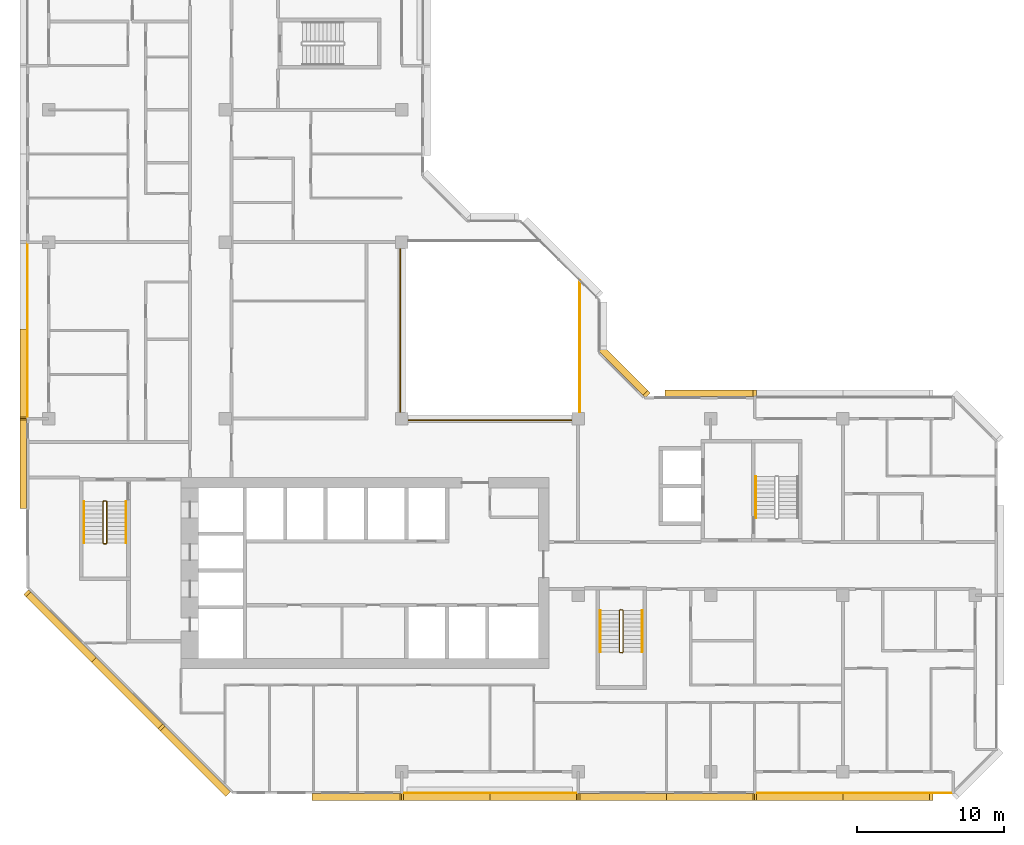
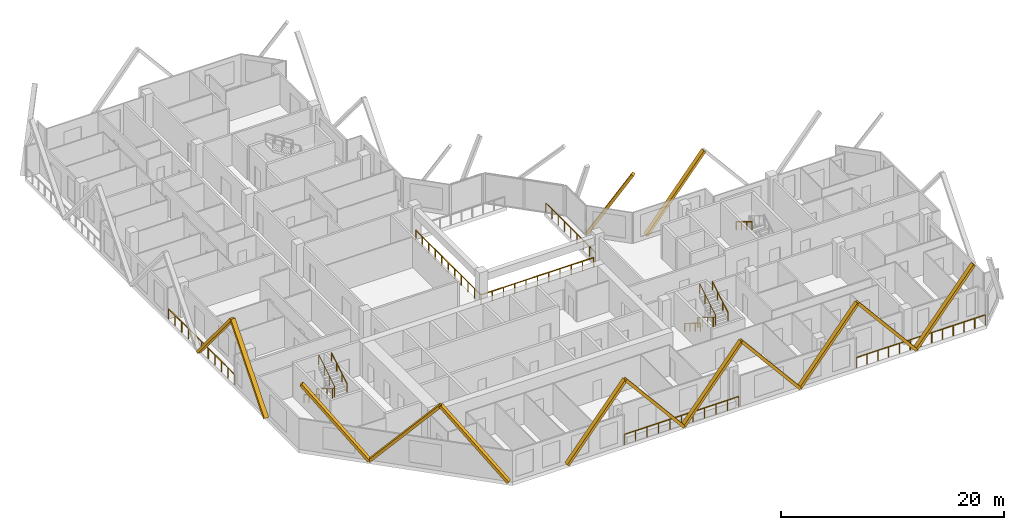
# One storey, part 15 of 16: 14 coverings, 12 railings.
"""IFC4 building model written with IfcOpenShell, lengths in metres."""

from ifc_helpers import new_model, si_unit, direction, frame, origin, origin_2d, place, context, subcontext, project, spatial, rectangle, extrude, material, material_profile, profile_set, type_object, element, save


model = new_model("IFC4")

# Units and contexts
model_context = context("Model", 3, precision=1e-05, world=origin(), true_north=direction((0.0, 1.0)))
body_context = subcontext(model_context, "Body", "Model", "MODEL_VIEW")
ifc_project = project(units=[si_unit("LENGTHUNIT", "METRE"), si_unit("AREAUNIT", "SQUARE_METRE"), si_unit("VOLUMEUNIT", "CUBIC_METRE"), si_unit("PLANEANGLEUNIT", "RADIAN"), si_unit("MASSUNIT", "GRAM", prefix="KILO")], contexts=[model_context])

# Site, building, storey
site_placement = place(None, origin())
site = spatial("IfcSite", under=ifc_project, at=site_placement, CompositionType="ELEMENT")
building_placement = place(site_placement, origin())
building = spatial("IfcBuilding", under=site, at=building_placement, Name="Chenar Terraces", CompositionType="ELEMENT")
storey_placement = place(building_placement, frame((0.0, 0.0, 219.14990234375)))
storey = spatial("IfcBuildingStorey", under=building, at=storey_placement, Name="L51", CompositionType="ELEMENT", Elevation=219.14990234375)

# Railings
ifc_material_1 = material(Name="Powder-coated steel", Category="steel")
railing_type_1 = type_object("IfcRailingType", Name="Guard 1100 steel rail with glass infill", PredefinedType="GUARDRAIL", material=ifc_material_1)
railing_1_placement = place(storey_placement, frame((23.89990234375, 35.574951171875, 0.0)))
element("IfcRailing", 1, at=railing_1_placement, inside=storey, type_object=railing_type_1, Name="Guard L51-1", PredefinedType="GUARDRAIL", context=body_context, shape_type="SweptSolid", body=[
    extrude(rectangle(XDim=0.06005859375, YDim=0.06005859375, at=origin_2d()), frame((0.0, 0.0, 1.070068359375), z_axis=(0.0, -1.0, 0.0), x_axis=(1.0, 0.0, 0.0)), (0.0, 0.0, 1.0), 11.675048828125),
    extrude(rectangle(XDim=0.06005859375, YDim=0.06005859375, at=origin_2d()), frame((0.0, -11.675048828125, 1.070068359375), z_axis=(1.0, 0.0, 0.0), x_axis=(0.0, 1.0, 0.0)), (0.0, 0.0, 1.0), 11.675048828125),
    extrude(rectangle(XDim=0.050048828125, YDim=0.050048828125, at=origin_2d()), origin(), (0.0, 0.0, 1.0), 1.0400390625),
    extrude(rectangle(XDim=0.050048828125, YDim=0.050048828125, at=origin_2d()), frame((0.0, -1.16748046875, 0.0)), (0.0, 0.0, 1.0), 1.0400390625),
    extrude(rectangle(XDim=0.050048828125, YDim=0.050048828125, at=origin_2d()), frame((0.0, -2.3349609375, 0.0)), (0.0, 0.0, 1.0), 1.0400390625),
    extrude(rectangle(XDim=0.050048828125, YDim=0.050048828125, at=origin_2d()), frame((0.0, -3.50244140625, 0.0)), (0.0, 0.0, 1.0), 1.0400390625),
    extrude(rectangle(XDim=0.050048828125, YDim=0.050048828125, at=origin_2d()), frame((0.0, -4.669921875, 0.0)), (0.0, 0.0, 1.0), 1.0400390625),
    extrude(rectangle(XDim=0.050048828125, YDim=0.050048828125, at=origin_2d()), frame((0.0, -5.83740234375, 0.0)), (0.0, 0.0, 1.0), 1.0400390625),
    extrude(rectangle(XDim=0.050048828125, YDim=0.050048828125, at=origin_2d()), frame((0.0, -7.005126953125, 0.0)), (0.0, 0.0, 1.0), 1.0400390625),
    extrude(rectangle(XDim=0.050048828125, YDim=0.050048828125, at=origin_2d()), frame((0.0, -8.172607421875, 0.0)), (0.0, 0.0, 1.0), 1.0400390625),
    extrude(rectangle(XDim=0.050048828125, YDim=0.050048828125, at=origin_2d()), frame((0.0, -9.340087890625, 0.0)), (0.0, 0.0, 1.0), 1.0400390625),
    extrude(rectangle(XDim=0.050048828125, YDim=0.050048828125, at=origin_2d()), frame((0.0, -10.507568359375, 0.0)), (0.0, 0.0, 1.0), 1.0400390625),
    extrude(rectangle(XDim=0.050048828125, YDim=0.050048828125, at=origin_2d()), frame((0.0, -11.675048828125, 0.0)), (0.0, 0.0, 1.0), 1.0400390625),
    extrude(rectangle(XDim=0.050048828125, YDim=0.050048828125, at=origin_2d()), frame((1.16748046875, -11.675048828125, 0.0)), (0.0, 0.0, 1.0), 1.0400390625),
    extrude(rectangle(XDim=0.050048828125, YDim=0.050048828125, at=origin_2d()), frame((2.3349609375, -11.675048828125, 0.0)), (0.0, 0.0, 1.0), 1.0400390625),
    extrude(rectangle(XDim=0.050048828125, YDim=0.050048828125, at=origin_2d()), frame((3.50244140625, -11.675048828125, 0.0)), (0.0, 0.0, 1.0), 1.0400390625),
    extrude(rectangle(XDim=0.050048828125, YDim=0.050048828125, at=origin_2d()), frame((4.669921875, -11.675048828125, 0.0)), (0.0, 0.0, 1.0), 1.0400390625),
    extrude(rectangle(XDim=0.050048828125, YDim=0.050048828125, at=origin_2d()), frame((5.83740234375, -11.675048828125, 0.0)), (0.0, 0.0, 1.0), 1.0400390625),
    extrude(rectangle(XDim=0.050048828125, YDim=0.050048828125, at=origin_2d()), frame((7.005126953125, -11.675048828125, 0.0)), (0.0, 0.0, 1.0), 1.0400390625),
    extrude(rectangle(XDim=0.050048828125, YDim=0.050048828125, at=origin_2d()), frame((8.172607421875, -11.675048828125, 0.0)), (0.0, 0.0, 1.0), 1.0400390625),
    extrude(rectangle(XDim=0.050048828125, YDim=0.050048828125, at=origin_2d()), frame((9.340087890625, -11.675048828125, 0.0)), (0.0, 0.0, 1.0), 1.0400390625),
    extrude(rectangle(XDim=0.050048828125, YDim=0.050048828125, at=origin_2d()), frame((10.507568359375, -11.675048828125, 0.0)), (0.0, 0.0, 1.0), 1.0400390625),
    extrude(rectangle(XDim=0.050048828125, YDim=0.050048828125, at=origin_2d()), frame((11.675048828125, -11.675048828125, 0.0)), (0.0, 0.0, 1.0), 1.0400390625),
])
railing_2_placement = place(storey_placement, frame((36.10009765625, 24.47509765625, 0.0)))
element("IfcRailing", 2, at=railing_2_placement, inside=storey, type_object=railing_type_1, Name="Guard L51-3", PredefinedType="GUARDRAIL", context=body_context, shape_type="SweptSolid", body=[
    extrude(rectangle(XDim=0.06005859375, YDim=0.06005859375, at=origin_2d()), frame((0.0, 0.0, 1.070068359375), z_axis=(0.0, 1.0, 0.0), x_axis=(-1.0, 0.0, 0.0)), (0.0, 0.0, 1.0), 8.9248046875),
    extrude(rectangle(XDim=0.050048828125, YDim=0.050048828125, at=origin_2d()), origin(), (0.0, 0.0, 1.0), 1.0400390625),
    extrude(rectangle(XDim=0.050048828125, YDim=0.050048828125, at=origin_2d()), frame((0.0, 1.11572265625, 0.0)), (0.0, 0.0, 1.0), 1.0400390625),
    extrude(rectangle(XDim=0.050048828125, YDim=0.050048828125, at=origin_2d()), frame((0.0, 2.231201171875, 0.0)), (0.0, 0.0, 1.0), 1.0400390625),
    extrude(rectangle(XDim=0.050048828125, YDim=0.050048828125, at=origin_2d()), frame((0.0, 3.3466796875, 0.0)), (0.0, 0.0, 1.0), 1.0400390625),
    extrude(rectangle(XDim=0.050048828125, YDim=0.050048828125, at=origin_2d()), frame((0.0, 4.46240234375, 0.0)), (0.0, 0.0, 1.0), 1.0400390625),
    extrude(rectangle(XDim=0.050048828125, YDim=0.050048828125, at=origin_2d()), frame((0.0, 5.578125, 0.0)), (0.0, 0.0, 1.0), 1.0400390625),
    extrude(rectangle(XDim=0.050048828125, YDim=0.050048828125, at=origin_2d()), frame((0.0, 6.693603515625, 0.0)), (0.0, 0.0, 1.0), 1.0400390625),
    extrude(rectangle(XDim=0.050048828125, YDim=0.050048828125, at=origin_2d()), frame((0.0, 7.80908203125, 0.0)), (0.0, 0.0, 1.0), 1.0400390625),
    extrude(rectangle(XDim=0.050048828125, YDim=0.050048828125, at=origin_2d()), frame((0.0, 8.9248046875, 0.0)), (0.0, 0.0, 1.0), 1.0400390625),
])
ifc_material_2 = material(Name="Stainless steel and glass", Category="steel")
railing_type_2 = type_object("IfcRailingType", Name="Loggia guard 1150", PredefinedType="GUARDRAIL", material=ifc_material_2)
railing_3_placement = place(storey_placement, frame((24.074951171875, -1.449951171875, 0.0)))
element("IfcRailing", 3, at=railing_3_placement, inside=storey, type_object=railing_type_2, Name="Loggia guard", PredefinedType="GUARDRAIL", context=body_context, shape_type="SweptSolid", body=[
    extrude(rectangle(XDim=0.048095703125, YDim=0.048095703125, at=origin_2d()), frame((0.0, 0.0, 1.1259765625), z_axis=(1.0, 0.0, 0.0), x_axis=(0.0, 1.0, 0.0)), (0.0, 0.0, 1.0), 11.85009765625),
    extrude(rectangle(XDim=0.0419921875, YDim=0.0419921875, at=origin_2d()), origin(), (0.0, 0.0, 1.0), 1.101806640625),
    extrude(rectangle(XDim=0.0419921875, YDim=0.0419921875, at=origin_2d()), frame((1.18505859375, 0.0, 0.0)), (0.0, 0.0, 1.0), 1.101806640625),
    extrude(rectangle(XDim=0.0419921875, YDim=0.0419921875, at=origin_2d()), frame((2.3701171875, 0.0, 0.0)), (0.0, 0.0, 1.0), 1.101806640625),
    extrude(rectangle(XDim=0.0419921875, YDim=0.0419921875, at=origin_2d()), frame((3.554931640625, 0.0, 0.0)), (0.0, 0.0, 1.0), 1.101806640625),
    extrude(rectangle(XDim=0.0419921875, YDim=0.0419921875, at=origin_2d()), frame((4.739990234375, 0.0, 0.0)), (0.0, 0.0, 1.0), 1.101806640625),
    extrude(rectangle(XDim=0.0419921875, YDim=0.0419921875, at=origin_2d()), frame((5.925048828125, 0.0, 0.0)), (0.0, 0.0, 1.0), 1.101806640625),
    extrude(rectangle(XDim=0.0419921875, YDim=0.0419921875, at=origin_2d()), frame((7.110107421875, 0.0, 0.0)), (0.0, 0.0, 1.0), 1.101806640625),
    extrude(rectangle(XDim=0.0419921875, YDim=0.0419921875, at=origin_2d()), frame((8.295166015625, 0.0, 0.0)), (0.0, 0.0, 1.0), 1.101806640625),
    extrude(rectangle(XDim=0.0419921875, YDim=0.0419921875, at=origin_2d()), frame((9.47998046875, 0.0, 0.0)), (0.0, 0.0, 1.0), 1.101806640625),
    extrude(rectangle(XDim=0.0419921875, YDim=0.0419921875, at=origin_2d()), frame((10.6650390625, 0.0, 0.0)), (0.0, 0.0, 1.0), 1.101806640625),
    extrude(rectangle(XDim=0.0419921875, YDim=0.0419921875, at=origin_2d()), frame((11.85009765625, 0.0, 0.0)), (0.0, 0.0, 1.0), 1.101806640625),
])
railing_4_placement = place(storey_placement, frame((48.074951171875, -1.449951171875, 0.0)))
element("IfcRailing", 4, at=railing_4_placement, inside=storey, type_object=railing_type_2, Name="Loggia guard", PredefinedType="GUARDRAIL", context=body_context, shape_type="SweptSolid", body=[
    extrude(rectangle(XDim=0.048095703125, YDim=0.048095703125, at=origin_2d()), frame((0.0, 0.0, 1.1259765625), z_axis=(1.0, 0.0, 0.0), x_axis=(0.0, 1.0, 0.0)), (0.0, 0.0, 1.0), 13.35009765625),
    extrude(rectangle(XDim=0.0419921875, YDim=0.0419921875, at=origin_2d()), origin(), (0.0, 0.0, 1.0), 1.101806640625),
    extrude(rectangle(XDim=0.0419921875, YDim=0.0419921875, at=origin_2d()), frame((1.112548828125, 0.0, 0.0)), (0.0, 0.0, 1.0), 1.101806640625),
    extrude(rectangle(XDim=0.0419921875, YDim=0.0419921875, at=origin_2d()), frame((2.22509765625, 0.0, 0.0)), (0.0, 0.0, 1.0), 1.101806640625),
    extrude(rectangle(XDim=0.0419921875, YDim=0.0419921875, at=origin_2d()), frame((3.33740234375, 0.0, 0.0)), (0.0, 0.0, 1.0), 1.101806640625),
    extrude(rectangle(XDim=0.0419921875, YDim=0.0419921875, at=origin_2d()), frame((4.449951171875, 0.0, 0.0)), (0.0, 0.0, 1.0), 1.101806640625),
    extrude(rectangle(XDim=0.0419921875, YDim=0.0419921875, at=origin_2d()), frame((5.5625, 0.0, 0.0)), (0.0, 0.0, 1.0), 1.101806640625),
    extrude(rectangle(XDim=0.0419921875, YDim=0.0419921875, at=origin_2d()), frame((6.675048828125, 0.0, 0.0)), (0.0, 0.0, 1.0), 1.101806640625),
    extrude(rectangle(XDim=0.0419921875, YDim=0.0419921875, at=origin_2d()), frame((7.78759765625, 0.0, 0.0)), (0.0, 0.0, 1.0), 1.101806640625),
    extrude(rectangle(XDim=0.0419921875, YDim=0.0419921875, at=origin_2d()), frame((8.900146484375, 0.0, 0.0)), (0.0, 0.0, 1.0), 1.101806640625),
    extrude(rectangle(XDim=0.0419921875, YDim=0.0419921875, at=origin_2d()), frame((10.0126953125, 0.0, 0.0)), (0.0, 0.0, 1.0), 1.101806640625),
    extrude(rectangle(XDim=0.0419921875, YDim=0.0419921875, at=origin_2d()), frame((11.125, 0.0, 0.0)), (0.0, 0.0, 1.0), 1.101806640625),
    extrude(rectangle(XDim=0.0419921875, YDim=0.0419921875, at=origin_2d()), frame((12.237548828125, 0.0, 0.0)), (0.0, 0.0, 1.0), 1.101806640625),
    extrude(rectangle(XDim=0.0419921875, YDim=0.0419921875, at=origin_2d()), frame((13.35009765625, 0.0, 0.0)), (0.0, 0.0, 1.0), 1.101806640625),
])
railing_5_placement = place(storey_placement, frame((-1.449951171875, 35.925048828125, 0.0)))
element("IfcRailing", 5, at=railing_5_placement, inside=storey, type_object=railing_type_2, Name="Loggia guard", PredefinedType="GUARDRAIL", context=body_context, shape_type="SweptSolid", body=[
    extrude(rectangle(XDim=0.048095703125, YDim=0.048095703125, at=origin_2d()), frame((0.0, 0.0, 1.1259765625), z_axis=(0.0, -1.0, 0.0), x_axis=(1.0, 0.0, 0.0)), (0.0, 0.0, 1.0), 11.85009765625),
    extrude(rectangle(XDim=0.0419921875, YDim=0.0419921875, at=origin_2d()), origin(), (0.0, 0.0, 1.0), 1.101806640625),
    extrude(rectangle(XDim=0.0419921875, YDim=0.0419921875, at=origin_2d()), frame((0.0, -1.18505859375, 0.0)), (0.0, 0.0, 1.0), 1.101806640625),
    extrude(rectangle(XDim=0.0419921875, YDim=0.0419921875, at=origin_2d()), frame((0.0, -2.3701171875, 0.0)), (0.0, 0.0, 1.0), 1.101806640625),
    extrude(rectangle(XDim=0.0419921875, YDim=0.0419921875, at=origin_2d()), frame((0.0, -3.554931640625, 0.0)), (0.0, 0.0, 1.0), 1.101806640625),
    extrude(rectangle(XDim=0.0419921875, YDim=0.0419921875, at=origin_2d()), frame((0.0, -4.739990234375, 0.0)), (0.0, 0.0, 1.0), 1.101806640625),
    extrude(rectangle(XDim=0.0419921875, YDim=0.0419921875, at=origin_2d()), frame((0.0, -5.925048828125, 0.0)), (0.0, 0.0, 1.0), 1.101806640625),
    extrude(rectangle(XDim=0.0419921875, YDim=0.0419921875, at=origin_2d()), frame((0.0, -7.110107421875, 0.0)), (0.0, 0.0, 1.0), 1.101806640625),
    extrude(rectangle(XDim=0.0419921875, YDim=0.0419921875, at=origin_2d()), frame((0.0, -8.295166015625, 0.0)), (0.0, 0.0, 1.0), 1.101806640625),
    extrude(rectangle(XDim=0.0419921875, YDim=0.0419921875, at=origin_2d()), frame((0.0, -9.47998046875, 0.0)), (0.0, 0.0, 1.0), 1.101806640625),
    extrude(rectangle(XDim=0.0419921875, YDim=0.0419921875, at=origin_2d()), frame((0.0, -10.6650390625, 0.0)), (0.0, 0.0, 1.0), 1.101806640625),
    extrude(rectangle(XDim=0.0419921875, YDim=0.0419921875, at=origin_2d()), frame((0.0, -11.85009765625, 0.0)), (0.0, 0.0, 1.0), 1.101806640625),
])
ifc_material_3 = material(Name="Powder-coated steel", Category="steel")
railing_type_3 = type_object("IfcRailingType", Name="Stair guard 1100", PredefinedType="GUARDRAIL", material=ifc_material_3)
railing_6_placement = place(storey_placement, frame((3.949951171875, 18.35009765625, 3.75)))
element("IfcRailing", 6, at=railing_6_placement, inside=storey, type_object=railing_type_3, Name="L51 ST1 stair guard 1", PredefinedType="GUARDRAIL", context=body_context, shape_type="SweptSolid", body=[
    extrude(rectangle(XDim=0.048095703125, YDim=0.048095703125, at=origin_2d()), frame((0.0, 0.0, 1.076171875), z_axis=(0.0, -0.854202870247, -0.519939858505), x_axis=(1.0, 0.0, 0.0)), (0.0, 0.0, 1.0), 3.278076171875),
    extrude(rectangle(XDim=0.048095703125, YDim=0.048095703125, at=origin_2d()), frame((0.0, -2.800048828125, -0.62841796875), z_axis=(-0.270899902878, -0.270899902878, -0.923702595667), x_axis=(0.707106781187, -0.707106781187, 0.0)), (0.0, 0.0, 1.0), 0.184814453125),
    extrude(rectangle(XDim=0.048095703125, YDim=0.048095703125, at=origin_2d()), frame((-0.050048828125, -2.85009765625, -0.798828125), z_axis=(-1.0, 0.0, 0.0), x_axis=(0.0, -1.0, 0.0)), (0.0, 0.0, 1.0), 0.14990234375),
    extrude(rectangle(XDim=0.048095703125, YDim=0.048095703125, at=origin_2d()), frame((-0.199951171875, -2.85009765625, -0.798828125), z_axis=(-0.707106781187, 0.707106781187, 0.0), x_axis=(-0.707106781187, -0.707106781187, 0.0)), (0.0, 0.0, 1.0), 0.07080078125),
    extrude(rectangle(XDim=0.048095703125, YDim=0.048095703125, at=origin_2d()), frame((-0.25, -2.800048828125, -0.798828125), z_axis=(0.0, 0.854202870247, -0.519939858505), x_axis=(-1.0, 0.0, 0.0)), (0.0, 0.0, 1.0), 3.278076171875),
    extrude(rectangle(XDim=0.048095703125, YDim=0.048095703125, at=origin_2d()), frame((-0.25, 0.0, -2.50341796875), z_axis=(0.270996696079, 0.269674760976, -0.924032636873), x_axis=(-0.705375805398, 0.708833529934, 0.0)), (0.0, 0.0, 1.0), 0.1845703125),
    extrude(rectangle(XDim=0.048095703125, YDim=0.048095703125, at=origin_2d()), frame((-0.199951171875, 0.0498046875, -2.673828125), z_axis=(1.0, 0.0, 0.0), x_axis=(0.0, 1.0, 0.0)), (0.0, 0.0, 1.0), 0.14990234375),
    extrude(rectangle(XDim=0.0419921875, YDim=0.0419921875, at=origin_2d()), origin(), (0.0, 0.0, 1.0), 1.052001953125),
    extrude(rectangle(XDim=0.0419921875, YDim=0.0419921875, at=origin_2d()), frame((0.0, -0.933349609375, -0.568115234375)), (0.0, 0.0, 1.0), 1.052001953125),
    extrude(rectangle(XDim=0.0419921875, YDim=0.0419921875, at=origin_2d()), frame((0.0, -1.86669921875, -1.13623046875)), (0.0, 0.0, 1.0), 1.052001953125),
    extrude(rectangle(XDim=0.0419921875, YDim=0.0419921875, at=origin_2d()), frame((0.0, -2.800048828125, -1.704345703125)), (0.0, 0.0, 1.0), 1.052001953125),
    extrude(rectangle(XDim=0.0419921875, YDim=0.0419921875, at=origin_2d()), frame((-0.050048828125, -2.85009765625, -1.875)), (0.0, 0.0, 1.0), 1.052001953125),
    extrude(rectangle(XDim=0.0419921875, YDim=0.0419921875, at=origin_2d()), frame((-0.199951171875, -2.85009765625, -1.875)), (0.0, 0.0, 1.0), 1.052001953125),
    extrude(rectangle(XDim=0.0419921875, YDim=0.0419921875, at=origin_2d()), frame((-0.25, -2.800048828125, -1.875)), (0.0, 0.0, 1.0), 1.052001953125),
    extrude(rectangle(XDim=0.0419921875, YDim=0.0419921875, at=origin_2d()), frame((-0.25, -1.86669921875, -2.443115234375)), (0.0, 0.0, 1.0), 1.052001953125),
    extrude(rectangle(XDim=0.0419921875, YDim=0.0419921875, at=origin_2d()), frame((-0.25, -0.933349609375, -3.01123046875)), (0.0, 0.0, 1.0), 1.052001953125),
    extrude(rectangle(XDim=0.0419921875, YDim=0.0419921875, at=origin_2d()), frame((-0.25, 0.0, -3.579345703125)), (0.0, 0.0, 1.0), 1.052001953125),
    extrude(rectangle(XDim=0.0419921875, YDim=0.0419921875, at=origin_2d()), frame((-0.199951171875, 0.0498046875, -3.75)), (0.0, 0.0, 1.0), 1.052001953125),
    extrude(rectangle(XDim=0.0419921875, YDim=0.0419921875, at=origin_2d()), frame((-0.050048828125, 0.0498046875, -3.75)), (0.0, 0.0, 1.0), 1.052001953125),
])
railing_7_placement = place(storey_placement, frame((39.050048828125, 10.949951171875, 3.75)))
element("IfcRailing", 7, at=railing_7_placement, inside=storey, type_object=railing_type_3, Name="L51 ST2 stair guard 1", PredefinedType="GUARDRAIL", context=body_context, shape_type="SweptSolid", body=[
    extrude(rectangle(XDim=0.048095703125, YDim=0.048095703125, at=origin_2d()), frame((0.0, 0.0, 1.076171875), z_axis=(0.0, -0.854202870247, -0.519939858505), x_axis=(1.0, 0.0, 0.0)), (0.0, 0.0, 1.0), 3.278076171875),
    extrude(rectangle(XDim=0.048095703125, YDim=0.048095703125, at=origin_2d()), frame((0.0, -2.800048828125, -0.62841796875), z_axis=(-0.270996696079, -0.269674760976, -0.924032636873), x_axis=(0.705375805398, -0.708833529934, 0.0)), (0.0, 0.0, 1.0), 0.1845703125),
    extrude(rectangle(XDim=0.048095703125, YDim=0.048095703125, at=origin_2d()), frame((-0.050048828125, -2.849853515625, -0.798828125), z_axis=(-1.0, 0.0, 0.0), x_axis=(0.0, -1.0, 0.0)), (0.0, 0.0, 1.0), 0.14990234375),
    extrude(rectangle(XDim=0.048095703125, YDim=0.048095703125, at=origin_2d()), frame((-0.199951171875, -2.849853515625, -0.798828125), z_axis=(-0.708833529934, 0.705375805398, 0.0), x_axis=(-0.705375805398, -0.708833529934, 0.0)), (0.0, 0.0, 1.0), 0.070556640625),
    extrude(rectangle(XDim=0.048095703125, YDim=0.048095703125, at=origin_2d()), frame((-0.25, -2.800048828125, -0.798828125), z_axis=(0.0, 0.854202870247, -0.519939858505), x_axis=(-1.0, 0.0, 0.0)), (0.0, 0.0, 1.0), 3.278076171875),
    extrude(rectangle(XDim=0.048095703125, YDim=0.048095703125, at=origin_2d()), frame((-0.25, 0.0, -2.50341796875), z_axis=(0.270899902878, 0.270899902878, -0.923702595667), x_axis=(-0.707106781187, 0.707106781187, 0.0)), (0.0, 0.0, 1.0), 0.184814453125),
    extrude(rectangle(XDim=0.048095703125, YDim=0.048095703125, at=origin_2d()), frame((-0.199951171875, 0.050048828125, -2.673828125), z_axis=(1.0, 0.0, 0.0), x_axis=(0.0, 1.0, 0.0)), (0.0, 0.0, 1.0), 0.14990234375),
    extrude(rectangle(XDim=0.0419921875, YDim=0.0419921875, at=origin_2d()), origin(), (0.0, 0.0, 1.0), 1.052001953125),
    extrude(rectangle(XDim=0.0419921875, YDim=0.0419921875, at=origin_2d()), frame((0.0, -0.933349609375, -0.568115234375)), (0.0, 0.0, 1.0), 1.052001953125),
    extrude(rectangle(XDim=0.0419921875, YDim=0.0419921875, at=origin_2d()), frame((0.0, -1.86669921875, -1.13623046875)), (0.0, 0.0, 1.0), 1.052001953125),
    extrude(rectangle(XDim=0.0419921875, YDim=0.0419921875, at=origin_2d()), frame((0.0, -2.800048828125, -1.704345703125)), (0.0, 0.0, 1.0), 1.052001953125),
    extrude(rectangle(XDim=0.0419921875, YDim=0.0419921875, at=origin_2d()), frame((-0.050048828125, -2.849853515625, -1.875)), (0.0, 0.0, 1.0), 1.052001953125),
    extrude(rectangle(XDim=0.0419921875, YDim=0.0419921875, at=origin_2d()), frame((-0.199951171875, -2.849853515625, -1.875)), (0.0, 0.0, 1.0), 1.052001953125),
    extrude(rectangle(XDim=0.0419921875, YDim=0.0419921875, at=origin_2d()), frame((-0.25, -2.800048828125, -1.875)), (0.0, 0.0, 1.0), 1.052001953125),
    extrude(rectangle(XDim=0.0419921875, YDim=0.0419921875, at=origin_2d()), frame((-0.25, -1.86669921875, -2.443115234375)), (0.0, 0.0, 1.0), 1.052001953125),
    extrude(rectangle(XDim=0.0419921875, YDim=0.0419921875, at=origin_2d()), frame((-0.25, -0.933349609375, -3.01123046875)), (0.0, 0.0, 1.0), 1.052001953125),
    extrude(rectangle(XDim=0.0419921875, YDim=0.0419921875, at=origin_2d()), frame((-0.25, 0.0, -3.579345703125)), (0.0, 0.0, 1.0), 1.052001953125),
    extrude(rectangle(XDim=0.0419921875, YDim=0.0419921875, at=origin_2d()), frame((-0.199951171875, 0.050048828125, -3.75)), (0.0, 0.0, 1.0), 1.052001953125),
    extrude(rectangle(XDim=0.0419921875, YDim=0.0419921875, at=origin_2d()), frame((-0.050048828125, 0.050048828125, -3.75)), (0.0, 0.0, 1.0), 1.052001953125),
])
ifc_material_4 = material(Name="Powder-coated steel", Category="steel")
railing_type_4 = type_object("IfcRailingType", Name="Stair handrail 900", PredefinedType="HANDRAIL", material=ifc_material_4)
railing_8_placement = place(storey_placement, frame((2.39990234375, 18.35009765625, 0.170654296875)))
element("IfcRailing", 8, at=railing_8_placement, inside=storey, type_object=railing_type_4, Name="L51 ST1 stair handrail 1", PredefinedType="HANDRAIL", context=body_context, shape_type="SweptSolid", body=[
    extrude(rectangle(XDim=0.048095703125, YDim=0.048095703125, at=origin_2d()), frame((0.0, 0.0, 0.8759765625), z_axis=(0.0, -0.854202870247, 0.519939858505), x_axis=(1.0, 0.0, 0.0)), (0.0, 0.0, 1.0), 3.278076171875),
    extrude(rectangle(XDim=0.0419921875, YDim=0.0419921875, at=origin_2d()), origin(), (0.0, 0.0, 1.0), 0.851806640625),
    extrude(rectangle(XDim=0.0419921875, YDim=0.0419921875, at=origin_2d()), frame((0.0, -0.933349609375, 0.568115234375)), (0.0, 0.0, 1.0), 0.851806640625),
    extrude(rectangle(XDim=0.0419921875, YDim=0.0419921875, at=origin_2d()), frame((0.0, -1.86669921875, 1.13623046875)), (0.0, 0.0, 1.0), 0.851806640625),
    extrude(rectangle(XDim=0.0419921875, YDim=0.0419921875, at=origin_2d()), frame((0.0, -2.800048828125, 1.704345703125)), (0.0, 0.0, 1.0), 0.851806640625),
])
railing_9_placement = place(storey_placement, frame((5.25, 15.550048828125, 2.045654296875)))
element("IfcRailing", 9, at=railing_9_placement, inside=storey, type_object=railing_type_4, Name="L51 ST1 stair handrail 2", PredefinedType="HANDRAIL", context=body_context, shape_type="SweptSolid", body=[
    extrude(rectangle(XDim=0.048095703125, YDim=0.048095703125, at=origin_2d()), frame((0.0, 0.0, 0.8759765625), z_axis=(0.0, 0.854202870247, 0.519939858505), x_axis=(-1.0, 0.0, 0.0)), (0.0, 0.0, 1.0), 3.278076171875),
    extrude(rectangle(XDim=0.0419921875, YDim=0.0419921875, at=origin_2d()), origin(), (0.0, 0.0, 1.0), 0.851806640625),
    extrude(rectangle(XDim=0.0419921875, YDim=0.0419921875, at=origin_2d()), frame((0.0, 0.933349609375, 0.568115234375)), (0.0, 0.0, 1.0), 0.851806640625),
    extrude(rectangle(XDim=0.0419921875, YDim=0.0419921875, at=origin_2d()), frame((0.0, 1.86669921875, 1.13623046875)), (0.0, 0.0, 1.0), 0.851806640625),
    extrude(rectangle(XDim=0.0419921875, YDim=0.0419921875, at=origin_2d()), frame((0.0, 2.800048828125, 1.704345703125)), (0.0, 0.0, 1.0), 0.851806640625),
])
railing_10_placement = place(storey_placement, frame((37.5, 10.949951171875, 0.170654296875)))
element("IfcRailing", 10, at=railing_10_placement, inside=storey, type_object=railing_type_4, Name="L51 ST2 stair handrail 1", PredefinedType="HANDRAIL", context=body_context, shape_type="SweptSolid", body=[
    extrude(rectangle(XDim=0.048095703125, YDim=0.048095703125, at=origin_2d()), frame((0.0, 0.0, 0.8759765625), z_axis=(0.0, -0.854202870247, 0.519939858505), x_axis=(1.0, 0.0, 0.0)), (0.0, 0.0, 1.0), 3.278076171875),
    extrude(rectangle(XDim=0.0419921875, YDim=0.0419921875, at=origin_2d()), origin(), (0.0, 0.0, 1.0), 0.851806640625),
    extrude(rectangle(XDim=0.0419921875, YDim=0.0419921875, at=origin_2d()), frame((0.0, -0.933349609375, 0.568115234375)), (0.0, 0.0, 1.0), 0.851806640625),
    extrude(rectangle(XDim=0.0419921875, YDim=0.0419921875, at=origin_2d()), frame((0.0, -1.86669921875, 1.13623046875)), (0.0, 0.0, 1.0), 0.851806640625),
    extrude(rectangle(XDim=0.0419921875, YDim=0.0419921875, at=origin_2d()), frame((0.0, -2.800048828125, 1.704345703125)), (0.0, 0.0, 1.0), 0.851806640625),
])
railing_11_placement = place(storey_placement, frame((40.35009765625, 8.14990234375, 2.045654296875)))
element("IfcRailing", 11, at=railing_11_placement, inside=storey, type_object=railing_type_4, Name="L51 ST2 stair handrail 2", PredefinedType="HANDRAIL", context=body_context, shape_type="SweptSolid", body=[
    extrude(rectangle(XDim=0.048095703125, YDim=0.048095703125, at=origin_2d()), frame((0.0, 0.0, 0.8759765625), z_axis=(0.0, 0.854202870247, 0.519939858505), x_axis=(-1.0, 0.0, 0.0)), (0.0, 0.0, 1.0), 3.278076171875),
    extrude(rectangle(XDim=0.0419921875, YDim=0.0419921875, at=origin_2d()), origin(), (0.0, 0.0, 1.0), 0.851806640625),
    extrude(rectangle(XDim=0.0419921875, YDim=0.0419921875, at=origin_2d()), frame((0.0, 0.933349609375, 0.568115234375)), (0.0, 0.0, 1.0), 0.851806640625),
    extrude(rectangle(XDim=0.0419921875, YDim=0.0419921875, at=origin_2d()), frame((0.0, 1.86669921875, 1.13623046875)), (0.0, 0.0, 1.0), 0.851806640625),
    extrude(rectangle(XDim=0.0419921875, YDim=0.0419921875, at=origin_2d()), frame((0.0, 2.800048828125, 1.704345703125)), (0.0, 0.0, 1.0), 0.851806640625),
])
railing_12_placement = place(storey_placement, frame((48.074951171875, 20.050048828125, 2.045654296875)))
element("IfcRailing", 12, at=railing_12_placement, inside=storey, type_object=railing_type_4, Name="L51 ST3 stair handrail 2", PredefinedType="HANDRAIL", context=body_context, shape_type="SweptSolid", body=[
    extrude(rectangle(XDim=0.048095703125, YDim=0.048095703125, at=origin_2d()), frame((0.0, 0.0, 0.8759765625), z_axis=(0.0, -0.854202870247, 0.519939858505), x_axis=(1.0, 0.0, 0.0)), (0.0, 0.0, 1.0), 3.278076171875),
    extrude(rectangle(XDim=0.0419921875, YDim=0.0419921875, at=origin_2d()), origin(), (0.0, 0.0, 1.0), 0.851806640625),
    extrude(rectangle(XDim=0.0419921875, YDim=0.0419921875, at=origin_2d()), frame((0.0, -0.933349609375, 0.568115234375)), (0.0, 0.0, 1.0), 0.851806640625),
    extrude(rectangle(XDim=0.0419921875, YDim=0.0419921875, at=origin_2d()), frame((0.0, -1.86669921875, 1.13623046875)), (0.0, 0.0, 1.0), 0.851806640625),
    extrude(rectangle(XDim=0.0419921875, YDim=0.0419921875, at=origin_2d()), frame((0.0, -2.800048828125, 1.704345703125)), (0.0, 0.0, 1.0), 0.851806640625),
])

# Coverings
ifc_material_5 = material(Name="Terracotta", Category="masonry")
ifc_material_profile = material_profile(ifc_material_5, rectangle(XDim=0.449951171875, YDim=0.280029296875, at=origin_2d()), Name="Terracotta baguette 450 x 280")
ifc_profile_set = profile_set([ifc_material_profile], Name="Terracotta")
covering_type = type_object("IfcCoveringType", Name="Terracotta baguette 450 x 280", PredefinedType="CLADDING", material=ifc_profile_set)
covering_1_placement = place(storey_placement, frame((48.0, 25.72509765625, 7.35009765625), z_axis=(-0.640186961885, 0.0, -0.768219144407), x_axis=(0.0, -1.0, 0.0)))
element("IfcCovering", 13, at=covering_1_placement, inside=storey, type_object=covering_type, Name="Terracotta baguette", PredefinedType="CLADDING", context=body_context, shape_type="SweptSolid", body=[
    extrude(rectangle(XDim=0.449951171875, YDim=0.280029296875, at=origin_2d()), origin(), (0.0, 0.0, 1.0), 9.372314453125),
])
covering_2_placement = place(storey_placement, frame((40.6591796875, 25.6591796875, 7.35009765625), z_axis=(-0.358980886355, 0.358980886355, -0.861548284464), x_axis=(-0.707106781187, -0.707106781187, 0.0)))
element("IfcCovering", 14, at=covering_2_placement, inside=storey, type_object=covering_type, Name="Terracotta baguette", PredefinedType="CLADDING", context=body_context, shape_type="SweptSolid", body=[
    extrude(rectangle(XDim=0.449951171875, YDim=0.280029296875, at=origin_2d()), origin(), (0.0, 0.0, 1.0), 8.35693359375),
])
for number, where, z_axis, x_axis, name in (
    (15, (-1.72509765625, 30.0, 0.150146484375), (0.0, -0.640186961885, 0.768219144407), (1.0, 0.0, 0.0), "Terracotta baguette"),
    (16, (-1.72509765625, 24.0, 7.35009765625), (0.0, -0.640186961885, -0.768219144407), (1.0, 0.0, 0.0), "Terracotta baguette"),
):
    element("IfcCovering", number, at=place(storey_placement, frame(where, z_axis=z_axis, x_axis=x_axis)), inside=storey, type_object=covering_type, Name=name, PredefinedType="CLADDING", context=body_context, shape_type="SweptSolid", body=[
        extrude(rectangle(XDim=0.449951171875, YDim=0.280029296875, at=origin_2d()), origin(), (0.0, 0.0, 1.0), 9.372314453125),
    ])
covering_3_placement = place(storey_placement, frame((-1.447021484375, 12.128662109375, 7.35009765625), z_axis=(0.46562956823, -0.465604048687, -0.752596821038), x_axis=(0.707087403354, 0.707126158488, 0.0)))
element("IfcCovering", 17, at=covering_3_placement, inside=storey, type_object=covering_type, Name="Terracotta baguette", PredefinedType="CLADDING", context=body_context, shape_type="SweptSolid", body=[
    extrude(rectangle(XDim=0.449951171875, YDim=0.280029296875, at=origin_2d()), origin(), (0.0, 0.0, 1.0), 9.56689453125),
])
covering_4_placement = place(storey_placement, frame((3.007568359375, 7.67431640625, 0.150146484375), z_axis=(0.477802509271, -0.477802509271, 0.73716315987), x_axis=(0.707106781187, 0.707106781187, 0.0)))
element("IfcCovering", 18, at=covering_4_placement, inside=storey, type_object=covering_type, Name="Terracotta baguette", PredefinedType="CLADDING", context=body_context, shape_type="SweptSolid", body=[
    extrude(rectangle(XDim=0.449951171875, YDim=0.280029296875, at=origin_2d()), origin(), (0.0, 0.0, 1.0), 9.76708984375),
])
covering_5_placement = place(storey_placement, frame((7.67431640625, 3.007568359375, 7.35009765625), z_axis=(0.465604048687, -0.46562956823, -0.752596821038), x_axis=(0.707126158488, 0.707087403354, 0.0)))
element("IfcCovering", 19, at=covering_5_placement, inside=storey, type_object=covering_type, Name="Terracotta baguette", PredefinedType="CLADDING", context=body_context, shape_type="SweptSolid", body=[
    extrude(rectangle(XDim=0.449951171875, YDim=0.280029296875, at=origin_2d()), origin(), (0.0, 0.0, 1.0), 9.56689453125),
])
for number, where, z_axis, x_axis, name in (
    (20, (18.0, -1.72509765625, 0.150146484375), (0.640186961885, 0.0, 0.768219144407), (0.0, 1.0, 0.0), "Terracotta baguette"),
    (21, (24.0, -1.72509765625, 7.35009765625), (0.640186961885, 0.0, -0.768219144407), (0.0, 1.0, 0.0), "Terracotta baguette"),
    (22, (30.0, -1.72509765625, 0.150146484375), (0.640186961885, 0.0, 0.768219144407), (0.0, 1.0, 0.0), "Terracotta baguette"),
    (23, (36.0, -1.72509765625, 7.35009765625), (0.640186961885, 0.0, -0.768219144407), (0.0, 1.0, 0.0), "Terracotta baguette"),
    (24, (42.0, -1.72509765625, 0.150146484375), (0.640186961885, 0.0, 0.768219144407), (0.0, 1.0, 0.0), "Terracotta baguette"),
    (25, (48.0, -1.72509765625, 7.35009765625), (0.640186961885, 0.0, -0.768219144407), (0.0, 1.0, 0.0), "Terracotta baguette"),
    (26, (54.0, -1.72509765625, 0.150146484375), (0.640186961885, 0.0, 0.768219144407), (0.0, 1.0, 0.0), "Terracotta baguette"),
):
    element("IfcCovering", number, at=place(storey_placement, frame(where, z_axis=z_axis, x_axis=x_axis)), inside=storey, type_object=covering_type, Name=name, PredefinedType="CLADDING", context=body_context, shape_type="SweptSolid", body=[
        extrude(rectangle(XDim=0.449951171875, YDim=0.280029296875, at=origin_2d()), origin(), (0.0, 0.0, 1.0), 9.372314453125),
    ])

save(model, "model.ifc")
